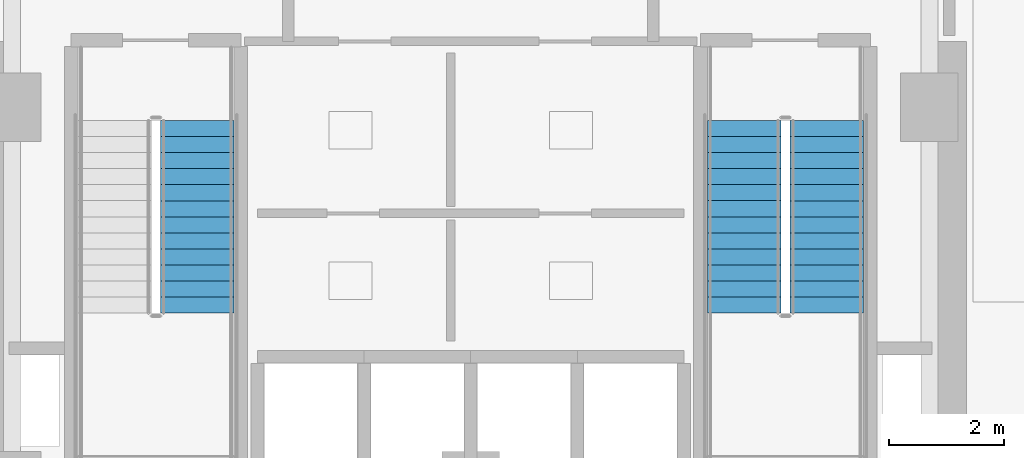
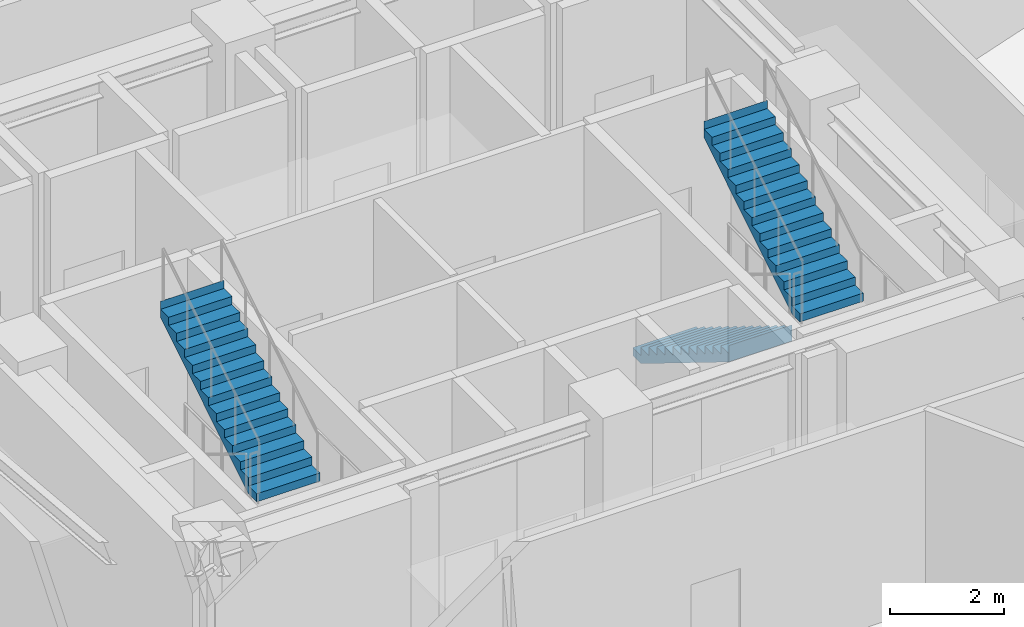
# One storey, part 16 of 19: 3 stair flights, 2 elements without a shape of their own.
"""IFC4 building model written with IfcOpenShell, lengths in metres."""

from ifc_helpers import new_model, si_unit, direction, frame, origin, place, context, subcontext, project, spatial, polyline, outline, extrude, material, type_object, element, aggregate, save


model = new_model("IFC4")

# Units and contexts
model_context = context("Model", 3, precision=1e-05, world=origin(), true_north=direction((0.0, 1.0)))
body_context = subcontext(model_context, "Body", "Model", "MODEL_VIEW")
ifc_project = project(units=[si_unit("LENGTHUNIT", "METRE"), si_unit("AREAUNIT", "SQUARE_METRE"), si_unit("VOLUMEUNIT", "CUBIC_METRE"), si_unit("PLANEANGLEUNIT", "RADIAN"), si_unit("MASSUNIT", "GRAM", prefix="KILO")], contexts=[model_context])

# Site, building, storey
site_placement = place(None, origin())
site = spatial("IfcSite", under=ifc_project, at=site_placement, CompositionType="ELEMENT")
building_placement = place(site_placement, origin())
building = spatial("IfcBuilding", under=site, at=building_placement, Name="Ndelora Gate Hotel", CompositionType="ELEMENT")
storey_placement = place(building_placement, frame((0.0, 0.0, 88.25)))
storey = spatial("IfcBuildingStorey", under=building, at=storey_placement, Name="L21", CompositionType="ELEMENT", Elevation=88.25)

# Stair, stair flight
ifc_material = material(Name="Precast concrete C40/50", Category="concrete")
stair_type = type_object("IfcStairType", Name="STR-DOG-CORE", PredefinedType="HALF_TURN_STAIR", material=ifc_material)
stair_1_placement = place(storey_placement, origin())
stair_1 = element("IfcStair", 1, at=stair_1_placement, inside=storey, type_object=stair_type, Name="L21 Protected Core Exit Stair ST4", PredefinedType="HALF_TURN_STAIR")
stair_flight_type = type_object("IfcStairFlightType", Name="STF-PRECAST", PredefinedType="STRAIGHT", material=ifc_material)
stair_flight_1_placement = place(storey_placement, frame((-4.77001953125, -3.590087890625, 2.25), z_axis=(0.0, 0.0, 1.0), x_axis=(0.0, 1.0, 0.0)))
stair_flight_1 = element("IfcStairFlight", 2, at=stair_flight_1_placement, type_object=stair_flight_type, Name="ST4 flight 2", NumberOfRisers=13, NumberOfTreads=12, PredefinedType="STRAIGHT", RiserHeight=0.173076923, TreadLength=0.28, context=body_context, shape_type="SweptSolid", body=[
    extrude(outline(polyline([(-0.00048828125, 0.0), (-0.00048828125, 0.173095703125), (0.0, 0.173095703125), (0.280029296875, 0.173095703125), (0.280029296875, 0.34619140625), (0.56005859375, 0.34619140625), (0.56005859375, 0.519287109375), (0.840087890625, 0.519287109375), (0.840087890625, 0.6923828125), (1.1201171875, 0.6923828125), (1.1201171875, 0.865478515625), (1.39990234375, 0.865478515625), (1.39990234375, 1.03857421875), (1.679931640625, 1.03857421875), (1.679931640625, 1.21142578125), (1.9599609375, 1.21142578125), (1.9599609375, 1.384521484375), (2.239990234375, 1.384521484375), (2.239990234375, 1.5576171875), (2.52001953125, 1.5576171875), (2.52001953125, 1.730712890625), (2.800048828125, 1.730712890625), (2.800048828125, 1.90380859375), (3.080078125, 1.90380859375), (3.080078125, 2.076904296875), (3.360107421875, 2.076904296875), (3.360107421875, 2.25), (3.360595703125, 2.25), (3.360595703125, 2.070068359375), (3.360107421875, 1.900634765625), (0.28515625, 0.0), (-0.00048828125, 0.0)])), frame((0.0, 0.64013671875, 0.0), z_axis=(0.0, -1.0, 0.0), x_axis=(1.0, 0.0, 0.0)), (0.0, 0.0, 1.0), 1.280029296875),
])
aggregate(stair_1, [stair_flight_1])

# Stair, stair flights
stair_2_placement = place(storey_placement, origin())
stair_2 = element("IfcStair", 3, at=stair_2_placement, inside=storey, type_object=stair_type, Name="L21 Protected Core Exit Stair ST5", PredefinedType="HALF_TURN_STAIR")
stair_flight_2_placement = place(storey_placement, frame((4.77001953125, -0.22998046875, 0.0), z_axis=(0.0, 0.0, 1.0), x_axis=(0.0, -1.0, 0.0)))
stair_flight_2 = element("IfcStairFlight", 4, at=stair_flight_2_placement, type_object=stair_flight_type, Name="ST5 flight 1", NumberOfRisers=13, NumberOfTreads=12, PredefinedType="STRAIGHT", RiserHeight=0.173076923, TreadLength=0.28, context=body_context, shape_type="SweptSolid", body=[
    extrude(outline(polyline([(-0.00048828125, 0.0), (-0.00048828125, 0.173095703125), (0.0, 0.173095703125), (0.280029296875, 0.173095703125), (0.280029296875, 0.34619140625), (0.56005859375, 0.34619140625), (0.56005859375, 0.519287109375), (0.840087890625, 0.519287109375), (0.840087890625, 0.6923828125), (1.1201171875, 0.6923828125), (1.1201171875, 0.865478515625), (1.39990234375, 0.865478515625), (1.39990234375, 1.03857421875), (1.679931640625, 1.03857421875), (1.679931640625, 1.21142578125), (1.9599609375, 1.21142578125), (1.9599609375, 1.384521484375), (2.239990234375, 1.384521484375), (2.239990234375, 1.5576171875), (2.52001953125, 1.5576171875), (2.52001953125, 1.730712890625), (2.800048828125, 1.730712890625), (2.800048828125, 1.90380859375), (3.080078125, 1.90380859375), (3.080078125, 2.076904296875), (3.360107421875, 2.076904296875), (3.360107421875, 2.25), (3.360595703125, 2.25), (3.360595703125, 2.070068359375), (3.360107421875, 1.900634765625), (0.28515625, 0.0), (-0.00048828125, 0.0)])), frame((0.0, 0.64013671875, 0.0), z_axis=(0.0, -1.0, 0.0), x_axis=(1.0, 0.0, 0.0)), (0.0, 0.0, 1.0), 1.280029296875),
])
stair_flight_3_placement = place(storey_placement, frame((6.2099609375, -3.590087890625, 2.25), z_axis=(0.0, 0.0, 1.0), x_axis=(0.0, 1.0, 0.0)))
stair_flight_3 = element("IfcStairFlight", 5, at=stair_flight_3_placement, type_object=stair_flight_type, Name="ST5 flight 2", NumberOfRisers=13, NumberOfTreads=12, PredefinedType="STRAIGHT", RiserHeight=0.173076923, TreadLength=0.28, context=body_context, shape_type="SweptSolid", body=[
    extrude(outline(polyline([(-0.00048828125, 0.0), (-0.00048828125, 0.173095703125), (0.0, 0.173095703125), (0.280029296875, 0.173095703125), (0.280029296875, 0.34619140625), (0.56005859375, 0.34619140625), (0.56005859375, 0.519287109375), (0.840087890625, 0.519287109375), (0.840087890625, 0.6923828125), (1.1201171875, 0.6923828125), (1.1201171875, 0.865478515625), (1.39990234375, 0.865478515625), (1.39990234375, 1.03857421875), (1.679931640625, 1.03857421875), (1.679931640625, 1.21142578125), (1.9599609375, 1.21142578125), (1.9599609375, 1.384521484375), (2.239990234375, 1.384521484375), (2.239990234375, 1.5576171875), (2.52001953125, 1.5576171875), (2.52001953125, 1.730712890625), (2.800048828125, 1.730712890625), (2.800048828125, 1.90380859375), (3.080078125, 1.90380859375), (3.080078125, 2.076904296875), (3.360107421875, 2.076904296875), (3.360107421875, 2.25), (3.360595703125, 2.25), (3.360595703125, 2.070068359375), (3.360107421875, 1.900634765625), (0.28515625, 0.0), (-0.00048828125, 0.0)])), frame((0.0, 0.64013671875, 0.0), z_axis=(0.0, -1.0, 0.0), x_axis=(1.0, 0.0, 0.0)), (0.0, 0.0, 1.0), 1.280029296875),
])
aggregate(stair_2, [stair_flight_2, stair_flight_3])

save(model, "model.ifc")
